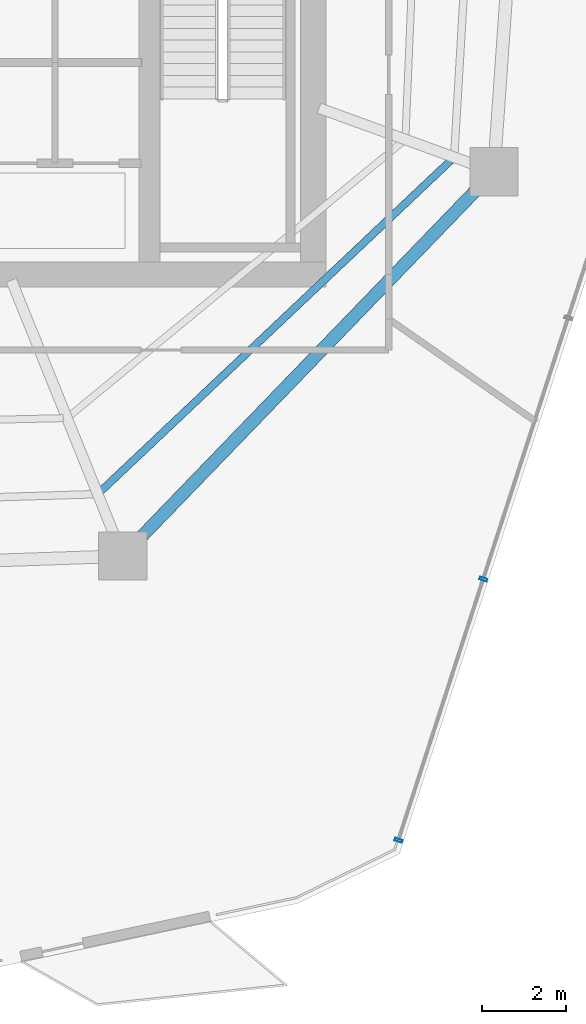
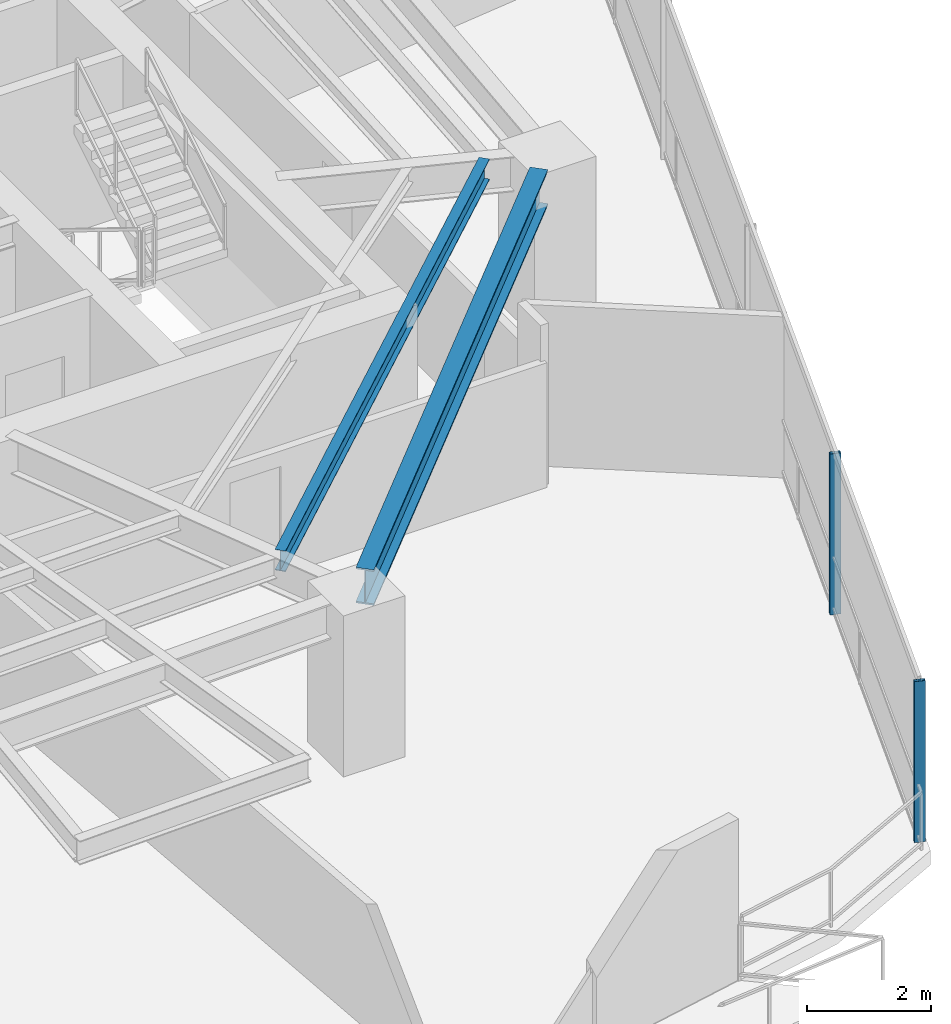
# One storey, part 10 of 27: 2 beams, 2 members, 1 element without a shape of its own.
"""IFC4 building model written with IfcOpenShell, lengths in metres."""

from ifc_helpers import new_model, si_unit, direction, frame, origin, origin_2d, place, context, subcontext, project, spatial, hollow_rectangle, i_section, extrude, material, layer, layer_set, material_profile, profile_set, type_object, element, aggregate, save


model = new_model("IFC4")

# Units and contexts
model_context = context("Model", 3, precision=1e-05, world=origin(), true_north=direction((0.0, 1.0)))
body_context = subcontext(model_context, "Body", "Model", "MODEL_VIEW")
ifc_project = project(units=[si_unit("LENGTHUNIT", "METRE"), si_unit("AREAUNIT", "SQUARE_METRE"), si_unit("VOLUMEUNIT", "CUBIC_METRE"), si_unit("PLANEANGLEUNIT", "RADIAN"), si_unit("MASSUNIT", "GRAM", prefix="KILO")], contexts=[model_context])

# Site, building, storey
site_placement = place(None, origin())
site = spatial("IfcSite", under=ifc_project, at=site_placement, CompositionType="ELEMENT")
building_placement = place(site_placement, origin())
building = spatial("IfcBuilding", under=site, at=building_placement, Name="Qarnah Convention Tower", CompositionType="ELEMENT")
storey_placement = place(building_placement, frame((0.0, 0.0, 110.85009765625)))
storey = spatial("IfcBuildingStorey", under=building, at=storey_placement, Name="L29", CompositionType="ELEMENT", Elevation=110.85009765625)

# Beams
ifc_material_1 = material(Name="Structural steel S355JR", Category="steel")
ifc_material_profile_1 = material_profile(ifc_material_1, i_section(OverallWidth=0.177978515625, OverallDepth=0.407958984375, WebThickness=0.008056640625, FlangeThickness=0.012939453125, at=origin_2d()), Name="W410X60")
ifc_profile_set_1 = profile_set([ifc_material_profile_1], Name="Structural steel S355JR")
beam_type_1 = type_object("IfcBeamType", Name="BM-JST-W410", PredefinedType="JOIST", material=ifc_profile_set_1)
beam_1_placement = place(storey_placement, frame((42.531982421875, 13.427978515625, 2.9658203125), z_axis=(0.726813624137, 0.686834736868, 0.0), x_axis=(-0.686834736868, 0.726813624137, 0.0)))
element("IfcBeam", 1, at=beam_1_placement, inside=storey, type_object=beam_type_1, Name="L29 joist BM-L29-SJST-08", PredefinedType="JOIST", context=body_context, shape_type="SweptSolid", body=[
    extrude(i_section(OverallWidth=0.177978515625, OverallDepth=0.407958984375, WebThickness=0.008056640625, FlangeThickness=0.012939453125, at=origin_2d()), origin(), (0.0, 0.0, 1.0), 11.505126953125),
])
ifc_material_profile_2 = material_profile(ifc_material_1, i_section(OverallWidth=0.300048828125, OverallDepth=0.699951171875, WebThickness=0.01708984375, FlangeThickness=0.031982421875, at=origin_2d()), Name="HEB700")
ifc_profile_set_2 = profile_set([ifc_material_profile_2], Name="Structural steel S355JR")
beam_type_2 = type_object("IfcBeamType", Name="BM-RING-HEB700", PredefinedType="BEAM", material=ifc_profile_set_2)
beam_2_placement = place(storey_placement, frame((43.455078125, 12.2958984375, 2.81982421875), z_axis=(0.694656478954, 0.719341626939, 0.0), x_axis=(-0.719341626939, 0.694656478954, 0.0)))
element("IfcBeam", 2, at=beam_2_placement, inside=storey, type_object=beam_type_2, Name="L29 beam BM-L29-SPN-08", PredefinedType="BEAM", context=body_context, shape_type="SweptSolid", body=[
    extrude(i_section(OverallWidth=0.300048828125, OverallDepth=0.699951171875, WebThickness=0.01708984375, FlangeThickness=0.031982421875, at=origin_2d()), origin(), (0.0, 0.0, 1.0), 11.60107421875),
])

# Curtain wall, members
ifc_material_2 = material(Name="Tempered Low-E dark glass", Category="glass")
ifc_layer = layer(ifc_material_2, 0.169921875)
ifc_layer_set = layer_set([ifc_layer], Name="Tempered Low-E dark glass")
curtain_wall_type = type_object("IfcCurtainWallType", Name="CWS-02", PredefinedType="NOTDEFINED", material=ifc_layer_set)
curtain_wall_placement = place(storey_placement, origin())
curtain_wall = element("IfcCurtainWall", 3, at=curtain_wall_placement, inside=storey, type_object=curtain_wall_type, Name="L29 unitised curtain wall CW-L29-F2", PredefinedType="NOTDEFINED")
ifc_material_3 = material(Name="Black anodised aluminium", Category="aluminium")
ifc_material_profile_3 = material_profile(ifc_material_3, hollow_rectangle(XDim=0.06494140625, YDim=0.179931640625, WallThickness=0.00390625, at=origin_2d()), Name="MUL-65X180")
ifc_profile_set_3 = profile_set([ifc_material_profile_3], Name="Black anodised aluminium")
member_type = type_object("IfcMemberType", Name="MUL-T2", PredefinedType="MULLION", material=ifc_profile_set_3)
member_1_placement = place(storey_placement, frame((51.655029296875, 11.339111328125, 0.0), z_axis=(0.0, 0.0, 1.0), x_axis=(-0.309011433682, -0.951058323056, 0.0)))
member_1 = element("IfcMember", 4, at=member_1_placement, type_object=member_type, Name="CW-L29-F2 mullion 5", PredefinedType="MULLION", context=body_context, shape_type="SweptSolid", body=[
    extrude(hollow_rectangle(XDim=0.06494140625, YDim=0.179931640625, WallThickness=0.00390625, at=origin_2d()), origin(), (0.0, 0.0, 1.0), 3.169921875),
])
member_2_placement = place(storey_placement, frame((49.633056640625, 5.115966796875, 0.0), z_axis=(0.0, 0.0, 1.0), x_axis=(-0.309011433682, -0.951058323056, 0.0)))
member_2 = element("IfcMember", 5, at=member_2_placement, type_object=member_type, Name="CW-L29-F2 mullion 6", PredefinedType="MULLION", context=body_context, shape_type="SweptSolid", body=[
    extrude(hollow_rectangle(XDim=0.06494140625, YDim=0.179931640625, WallThickness=0.00390625, at=origin_2d()), origin(), (0.0, 0.0, 1.0), 3.169921875),
])
aggregate(curtain_wall, [member_1, member_2])

save(model, "model.ifc")
